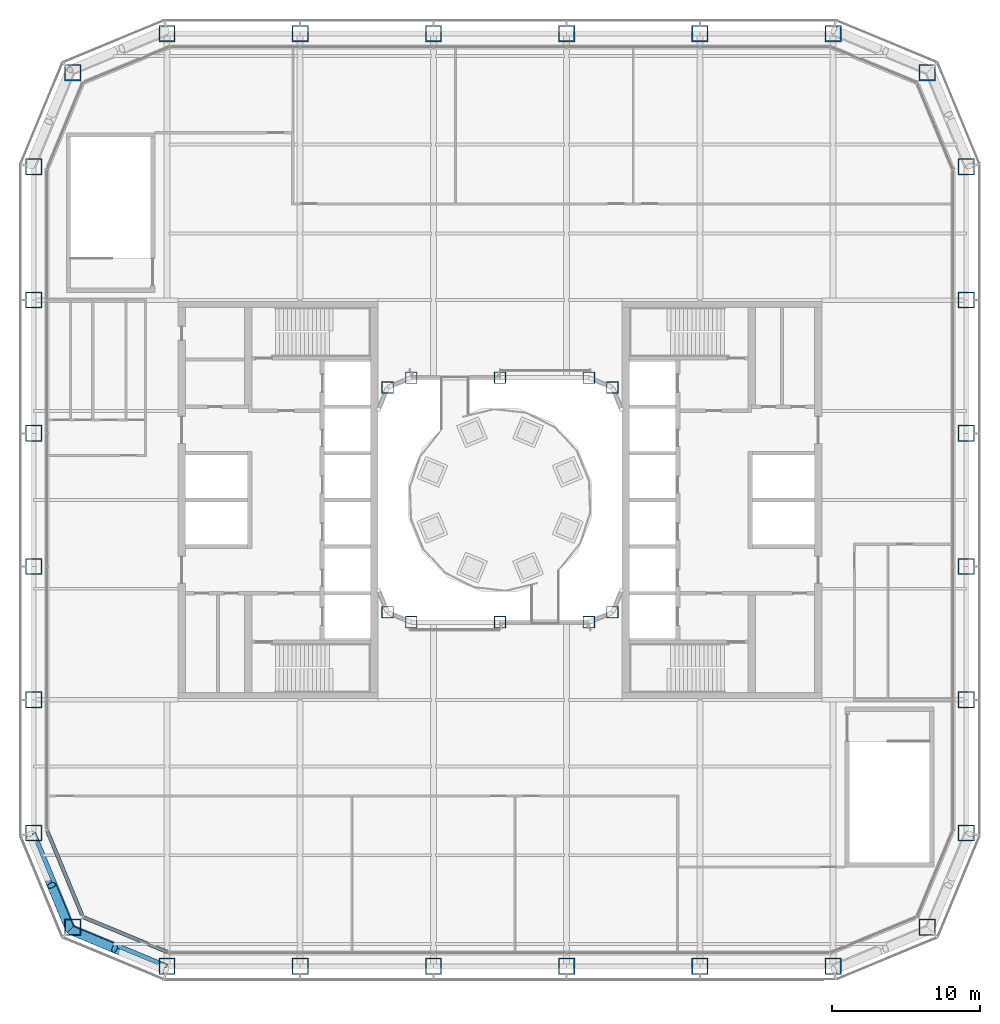
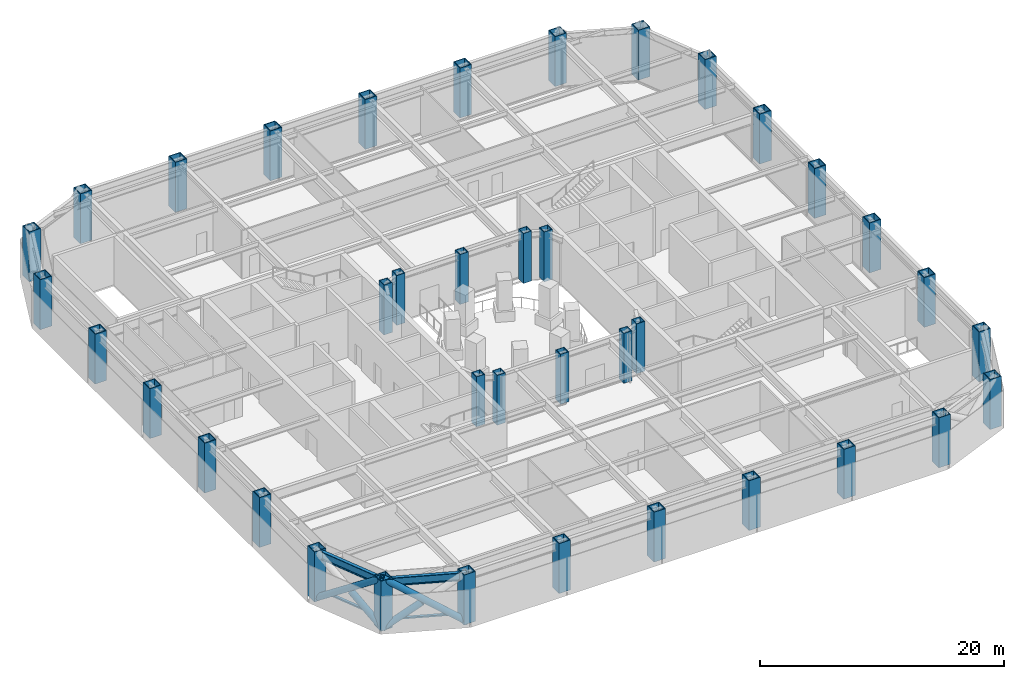
# One storey, part 1 of 25: 38 columns, 6 members, 2 beams, 2 elements without a shape of their own.
"""IFC4 building model written with IfcOpenShell, lengths in metres."""

from ifc_helpers import new_model, si_unit, direction, frame, origin, origin_2d, place, context, subcontext, project, spatial, rectangle, hollow_rectangle, hollow_circle, i_section, extrude, material, layer, layer_set, material_profile, profile_set, type_object, element, aggregate, save


model = new_model("IFC4")

# Units and contexts
model_context = context("Model", 3, precision=1e-05, world=origin(), true_north=direction((0.0, 1.0)))
body_context = subcontext(model_context, "Body", "Model", "MODEL_VIEW")
ifc_project = project(units=[si_unit("LENGTHUNIT", "METRE"), si_unit("AREAUNIT", "SQUARE_METRE"), si_unit("VOLUMEUNIT", "CUBIC_METRE"), si_unit("PLANEANGLEUNIT", "RADIAN"), si_unit("MASSUNIT", "GRAM", prefix="KILO")], contexts=[model_context])

# Site, building, storey
site_placement = place(None, origin())
site = spatial("IfcSite", under=ifc_project, at=site_placement, CompositionType="ELEMENT")
building_placement = place(site_placement, origin())
building = spatial("IfcBuilding", under=site, at=building_placement, Name="Siwar Civic Tower", CompositionType="ELEMENT")
storey_placement = place(building_placement, frame((0.0, 0.0, 17.199951171875)))
storey = spatial("IfcBuildingStorey", under=building, at=storey_placement, Name="L03", CompositionType="ELEMENT", Elevation=17.199951171875)

# Columns
ifc_material_1 = material(Name="Steel S460", Category="steel")
ifc_material_profile_1 = material_profile(ifc_material_1, hollow_rectangle(XDim=1.10009765625, YDim=1.10009765625, WallThickness=0.070068359375, at=origin_2d()), Name="BOX1100x1100x70")
ifc_profile_set_1 = profile_set([ifc_material_profile_1], Name="Steel S460")
column_type_1 = type_object("IfcColumnType", Name="STR-COL-BOX1100x1100x70", PredefinedType="COLUMN", material=ifc_profile_set_1)
for number, where, z_axis, x_axis, name in (
    (1, (-22.5, -31.5, 0.0), (0.0, 0.0, 1.0), (1.0, 0.0, 0.0), "L03/col/S-0"),
    (2, (-13.5, -31.5, 0.0), (0.0, 0.0, 1.0), (1.0, 0.0, 0.0), "L03/col/S-1"),
    (3, (-4.5, -31.5, 0.0), (0.0, 0.0, 1.0), (1.0, 0.0, 0.0), "L03/col/S-2"),
    (4, (4.5, -31.5, 0.0), (0.0, 0.0, 1.0), (1.0, 0.0, 0.0), "L03/col/S-3"),
    (5, (13.5, -31.5, 0.0), (0.0, 0.0, 1.0), (1.0, 0.0, 0.0), "L03/col/S-4"),
    (6, (22.5, -31.5, 0.0), (0.0, 0.0, 1.0), (1.0, 0.0, 0.0), "L03/col/SE1-0"),
    (7, (28.864013671875, -28.864013671875, 0.0), (0.0, 0.0, 1.0), (1.0, 0.0, 0.0), "L03/col/SE2-0"),
    (8, (31.5, -22.5, 0.0), (0.0, 0.0, 1.0), (1.0, 0.0, 0.0), "L03/col/E-0"),
    (9, (31.5, -13.5, 0.0), (0.0, 0.0, 1.0), (1.0, 0.0, 0.0), "L03/col/E-1"),
    (10, (31.5, -4.5, 0.0), (0.0, 0.0, 1.0), (1.0, 0.0, 0.0), "L03/col/E-2"),
    (11, (31.5, 4.5, 0.0), (0.0, 0.0, 1.0), (1.0, 0.0, 0.0), "L03/col/E-3"),
    (12, (31.5, 13.5, 0.0), (0.0, 0.0, 1.0), (1.0, 0.0, 0.0), "L03/col/E-4"),
    (13, (31.5, 22.5, 0.0), (0.0, 0.0, 1.0), (1.0, 0.0, 0.0), "L03/col/NE1-0"),
    (14, (28.864013671875, 28.864013671875, 0.0), (0.0, 0.0, 1.0), (1.0, 0.0, 0.0), "L03/col/NE2-0"),
    (15, (22.5, 31.5, 0.0), (0.0, 0.0, 1.0), (1.0, 0.0, 0.0), "L03/col/N-0"),
    (16, (13.5, 31.5, 0.0), (0.0, 0.0, 1.0), (1.0, 0.0, 0.0), "L03/col/N-1"),
    (17, (4.5, 31.5, 0.0), (0.0, 0.0, 1.0), (1.0, 0.0, 0.0), "L03/col/N-2"),
    (18, (-4.5, 31.5, 0.0), (0.0, 0.0, 1.0), (1.0, 0.0, 0.0), "L03/col/N-3"),
    (19, (-13.5, 31.5, 0.0), (0.0, 0.0, 1.0), (1.0, 0.0, 0.0), "L03/col/N-4"),
    (20, (-22.5, 31.5, 0.0), (0.0, 0.0, 1.0), (1.0, 0.0, 0.0), "L03/col/NW1-0"),
    (21, (-28.864013671875, 28.864013671875, 0.0), (0.0, 0.0, 1.0), (1.0, 0.0, 0.0), "L03/col/NW2-0"),
    (22, (-31.5, 22.5, 0.0), (0.0, 0.0, 1.0), (1.0, 0.0, 0.0), "L03/col/W-0"),
    (23, (-31.5, 13.5, 0.0), (0.0, 0.0, 1.0), (1.0, 0.0, 0.0), "L03/col/W-1"),
    (24, (-31.5, 4.5, 0.0), (0.0, 0.0, 1.0), (1.0, 0.0, 0.0), "L03/col/W-2"),
    (25, (-31.5, -4.5, 0.0), (0.0, 0.0, 1.0), (1.0, 0.0, 0.0), "L03/col/W-3"),
    (26, (-31.5, -13.5, 0.0), (0.0, 0.0, 1.0), (1.0, 0.0, 0.0), "L03/col/W-4"),
    (27, (-31.5, -22.5, 0.0), (0.0, 0.0, 1.0), (1.0, 0.0, 0.0), "L03/col/SW1-0"),
    (28, (-28.864013671875, -28.864013671875, 0.0), (0.0, 0.0, 1.0), (1.0, 0.0, 0.0), "L03/col/SW2-0"),
):
    element("IfcColumn", number, at=place(storey_placement, frame(where, z_axis=z_axis, x_axis=x_axis)), inside=storey, type_object=column_type_1, Name=name, PredefinedType="COLUMN", context=body_context, shape_type="SweptSolid", body=[
        extrude(hollow_rectangle(XDim=1.10009765625, YDim=1.10009765625, WallThickness=0.070068359375, at=origin_2d()), origin(), (0.0, 0.0, 1.0), 5.0),
    ])
ifc_material_2 = material(Name="Steel S355", Category="steel")
ifc_material_profile_2 = material_profile(ifc_material_2, hollow_rectangle(XDim=0.800048828125, YDim=0.800048828125, WallThickness=0.050048828125, at=origin_2d()), Name="BOX800x800x50")
ifc_profile_set_2 = profile_set([ifc_material_profile_2], Name="Steel S355")
column_type_2 = type_object("IfcColumnType", Name="STR-ICOL-BOX800x800x50", PredefinedType="COLUMN", material=ifc_profile_set_2)
for number, where, z_axis, x_axis, name in (
    (29, (-7.591064453125, -7.591064453125, 0.0), (0.0, 0.0, 1.0), (1.0, 0.0, 0.0), "L03/col/IS-0"),
    (30, (-6.0, -8.25, 0.0), (0.0, 0.0, 1.0), (1.0, 0.0, 0.0), "L03/col/IS-1"),
    (31, (0.0, -8.25, 0.0), (0.0, 0.0, 1.0), (1.0, 0.0, 0.0), "L03/col/IS-2"),
    (32, (6.0, -8.25, 0.0), (0.0, 0.0, 1.0), (1.0, 0.0, 0.0), "L03/col/IS-3"),
    (33, (7.591064453125, -7.591064453125, 0.0), (0.0, 0.0, 1.0), (1.0, 0.0, 0.0), "L03/col/IS-4"),
    (34, (-7.591064453125, 7.591064453125, 0.0), (0.0, 0.0, 1.0), (1.0, 0.0, 0.0), "L03/col/IN-0"),
    (35, (-6.0, 8.25, 0.0), (0.0, 0.0, 1.0), (1.0, 0.0, 0.0), "L03/col/IN-1"),
    (36, (0.0, 8.25, 0.0), (0.0, 0.0, 1.0), (1.0, 0.0, 0.0), "L03/col/IN-2"),
    (37, (6.0, 8.25, 0.0), (0.0, 0.0, 1.0), (1.0, 0.0, 0.0), "L03/col/IN-3"),
    (38, (7.591064453125, 7.591064453125, 0.0), (0.0, 0.0, 1.0), (1.0, 0.0, 0.0), "L03/col/IN-4"),
):
    element("IfcColumn", number, at=place(storey_placement, frame(where, z_axis=z_axis, x_axis=x_axis)), inside=storey, type_object=column_type_2, Name=name, PredefinedType="COLUMN", context=body_context, shape_type="SweptSolid", body=[
        extrude(hollow_rectangle(XDim=0.800048828125, YDim=0.800048828125, WallThickness=0.050048828125, at=origin_2d()), origin(), (0.0, 0.0, 1.0), 5.0),
    ])

# Curtain wall, member
ifc_material_3 = material(Name="Aluminium clad insulated panel", Category="aluminium")
ifc_layer = layer(ifc_material_3, 0.25)
ifc_layer_set = layer_set([ifc_layer], Name="Aluminium clad insulated panel")
curtain_wall_type = type_object("IfcCurtainWallType", Name="ENV-CW-HX", PredefinedType="NOTDEFINED", material=ifc_layer_set)
curtain_wall_1_placement = place(storey_placement, origin())
curtain_wall_1 = element("IfcCurtainWall", 39, at=curtain_wall_1_placement, inside=storey, type_object=curtain_wall_type, Name="Curtain wall H SW1", PredefinedType="NOTDEFINED")
ifc_material_4 = material(Name="Aluminium 6063-T6", Category="aluminium")
ifc_material_profile_3 = material_profile(ifc_material_4, rectangle(XDim=0.25, YDim=0.139892578125, at=origin_2d()), Name="AL 250x140")
ifc_profile_set_3 = profile_set([ifc_material_profile_3], Name="Aluminium 6063-T6")
member_type_1 = type_object("IfcMemberType", Name="ENV-TRANSOM-H", PredefinedType="USERDEFINED", material=ifc_profile_set_3)
member_1_placement = place(storey_placement, frame((-30.584716796875, -22.35791015625, 0.070068359375), z_axis=(0.382672669604, -0.92388399052, 0.0), x_axis=(0.92388399052, 0.382672669604, 0.0)))
member_1 = element("IfcMember", 40, at=member_1_placement, type_object=member_type_1, Name="Transom H SW1 1", ObjectType="TRANSOM", PredefinedType="USERDEFINED", context=body_context, shape_type="SweptSolid", body=[
    extrude(rectangle(XDim=0.25, YDim=0.139892578125, at=origin_2d()), origin(), (0.0, 0.0, 1.0), 6.15966796875),
])
aggregate(curtain_wall_1, [member_1])

curtain_wall_2_placement = place(storey_placement, origin())
curtain_wall_2 = element("IfcCurtainWall", 41, at=curtain_wall_2_placement, inside=storey, type_object=curtain_wall_type, Name="Curtain wall H SW2", PredefinedType="NOTDEFINED")
member_2_placement = place(storey_placement, frame((-28.13818359375, -28.1904296875, 0.070068359375), z_axis=(0.92388399052, -0.382672669604, 0.0), x_axis=(0.382672669604, 0.92388399052, 0.0)))
member_2 = element("IfcMember", 42, at=member_2_placement, type_object=member_type_1, Name="Transom H SW2 1", ObjectType="TRANSOM", PredefinedType="USERDEFINED", context=body_context, shape_type="SweptSolid", body=[
    extrude(rectangle(XDim=0.25, YDim=0.139892578125, at=origin_2d()), origin(), (0.0, 0.0, 1.0), 6.15966796875),
])
aggregate(curtain_wall_2, [member_2])

# Members
ifc_material_5 = material(Name="Steel S355", Category="steel")
ifc_material_profile_4 = material_profile(ifc_material_5, hollow_circle(Radius=0.304931640625, WallThickness=0.030029296875, at=origin_2d()), Name="CHS610x30")
ifc_profile_set_4 = profile_set([ifc_material_profile_4], Name="Steel S355")
member_type_2 = type_object("IfcMemberType", Name="STR-BR-CHS610x30", PredefinedType="BRACE", material=ifc_profile_set_4)
member_3_placement = place(storey_placement, frame((-22.548828125, -31.7451171875, 0.0), z_axis=(-0.752344350468, 0.313403721941, 0.579444635312), x_axis=(-0.384538969033, -0.923108759191, 0.0)))
element("IfcMember", 43, at=member_3_placement, inside=storey, type_object=member_type_2, Name="L03/brc/ASW1-2-0-1", PredefinedType="BRACE", context=body_context, shape_type="SweptSolid", body=[
    extrude(hollow_circle(Radius=0.304931640625, WallThickness=0.030029296875, at=origin_2d()), origin(), (0.0, 0.0, 1.0), 8.62890625),
])
member_4_placement = place(storey_placement, frame((-29.040771484375, -29.040771484375, 0.0), z_axis=(0.752340560323, -0.313373422739, 0.5794659431), x_axis=(0.384508939914, 0.923121267833, 0.0)))
element("IfcMember", 44, at=member_4_placement, inside=storey, type_object=member_type_2, Name="L03/brc/ASW1-2-0-2", PredefinedType="BRACE", context=body_context, shape_type="SweptSolid", body=[
    extrude(hollow_circle(Radius=0.304931640625, WallThickness=0.030029296875, at=origin_2d()), origin(), (0.0, 0.0, 1.0), 3.99658203125),
])
member_5_placement = place(storey_placement, frame((-31.7451171875, -22.548828125, 0.0), z_axis=(0.313403721941, -0.752344350468, 0.579444635312), x_axis=(0.923108759191, 0.384538969033, 0.0)))
element("IfcMember", 45, at=member_5_placement, inside=storey, type_object=member_type_2, Name="L03/brc/ASW1-2-0-0", PredefinedType="BRACE", context=body_context, shape_type="SweptSolid", body=[
    extrude(hollow_circle(Radius=0.304931640625, WallThickness=0.030029296875, at=origin_2d()), origin(), (0.0, 0.0, 1.0), 8.62890625),
])
member_6_placement = place(storey_placement, frame((-29.040771484375, -29.040771484375, 0.0), z_axis=(-0.313373422739, 0.752340560323, 0.5794659431), x_axis=(-0.923121267833, -0.384508939914, 0.0)))
element("IfcMember", 46, at=member_6_placement, inside=storey, type_object=member_type_2, Name="L03/brc/ASW1-2-0-4", PredefinedType="BRACE", context=body_context, shape_type="SweptSolid", body=[
    extrude(hollow_circle(Radius=0.304931640625, WallThickness=0.030029296875, at=origin_2d()), origin(), (0.0, 0.0, 1.0), 3.99658203125),
])

# Beams
ifc_material_6 = material(Name="Steel S355", Category="steel")
ifc_material_profile_5 = material_profile(ifc_material_6, i_section(OverallWidth=0.302978515625, OverallDepth=0.81396484375, WebThickness=0.02099609375, FlangeThickness=0.0400390625, FilletRadius=0.030029296875, at=origin_2d()), Name="HEM800")
ifc_profile_set_5 = profile_set([ifc_material_profile_5], Name="Steel S355")
beam_type = type_object("IfcBeamType", Name="STR-SB-HEM800", PredefinedType="BEAM", material=ifc_profile_set_5)
for number, where, z_axis, x_axis, name in (
    (47, (-31.5, -22.5, 4.443115234375), (0.382674207535, -0.923883353507, 0.0), (0.923883353507, 0.382674207535, 0.0), "L03/bm/SSW1-0"),
    (48, (-28.864013671875, -28.864013671875, 4.443115234375), (0.923883353507, -0.382674207535, 0.0), (0.382674207535, 0.923883353507, 0.0), "L03/bm/SSW2-0"),
):
    element("IfcBeam", number, at=place(storey_placement, frame(where, z_axis=z_axis, x_axis=x_axis)), inside=storey, type_object=beam_type, Name=name, PredefinedType="BEAM", context=body_context, shape_type="SweptSolid", body=[
        extrude(i_section(OverallWidth=0.302978515625, OverallDepth=0.81396484375, WebThickness=0.02099609375, FlangeThickness=0.0400390625, FilletRadius=0.030029296875, at=origin_2d()), origin(), (0.0, 0.0, 1.0), 6.888427734375),
    ])

save(model, "model.ifc")
